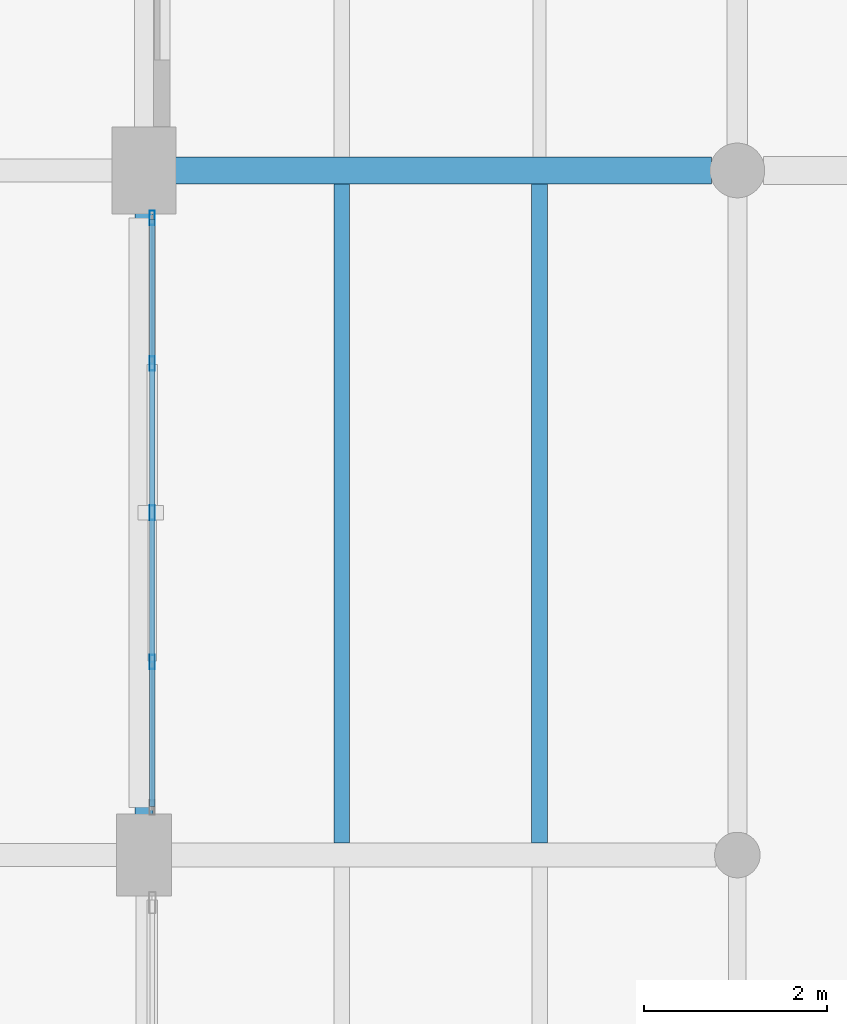
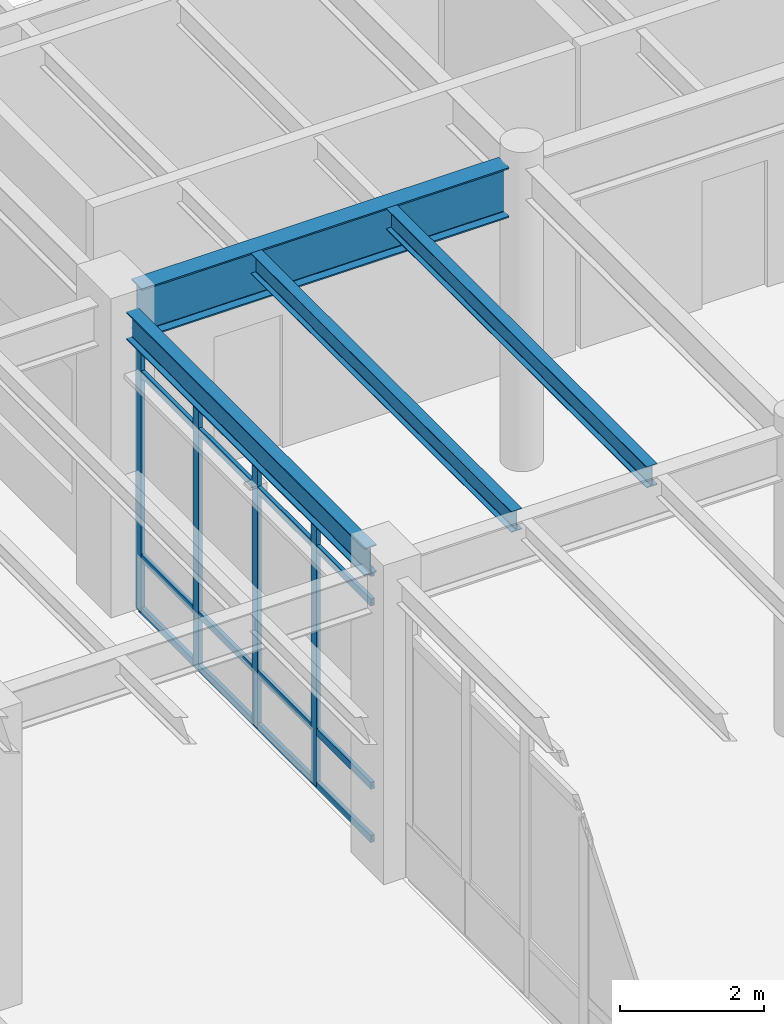
# One storey, part 58 of 203: 8 members, 4 beams, 1 element without a shape of its own.
"""IFC4 building model written with IfcOpenShell, lengths in metres."""

from ifc_helpers import new_model, si_unit, direction, frame, origin, origin_2d, place, context, subcontext, project, spatial, hollow_rectangle, i_section, extrude, material, material_profile, profile_set, type_object, element, aggregate, save


model = new_model("IFC4")

# Units and contexts
model_context = context("Model", 3, precision=1e-05, world=origin(), true_north=direction((0.0, 1.0)))
body_context = subcontext(model_context, "Body", "Model", "MODEL_VIEW")
ifc_project = project(units=[si_unit("LENGTHUNIT", "METRE"), si_unit("AREAUNIT", "SQUARE_METRE"), si_unit("VOLUMEUNIT", "CUBIC_METRE"), si_unit("PLANEANGLEUNIT", "RADIAN"), si_unit("MASSUNIT", "GRAM", prefix="KILO"), si_unit("THERMODYNAMICTEMPERATUREUNIT", "KELVIN"), si_unit("POWERUNIT", "WATT")], contexts=[model_context])

# Site, building, storey
site_placement = place(None, origin())
site = spatial("IfcSite", under=ifc_project, at=site_placement, CompositionType="ELEMENT")
building_placement = place(site_placement, origin())
building = spatial("IfcBuilding", under=site, at=building_placement, Name="Tepalcoro Natatorium and Aquatics Centre", CompositionType="ELEMENT")
storey_placement = place(building_placement, origin())
storey = spatial("IfcBuildingStorey", under=building, at=storey_placement, Name="L00", CompositionType="ELEMENT", Elevation=0.0)

# Beams
ifc_material_1 = material(Name="Steel ASTM A992 Grade 50 (Fy 345 MPa)", Category="steel")
ifc_material_profile_1 = material_profile(ifc_material_1, i_section(OverallWidth=0.193115234375, OverallDepth=0.467041015625, WebThickness=0.010986328125, FlangeThickness=0.01904296875, FilletRadius=0.013916015625, at=origin_2d()), Name="W18X65")
ifc_profile_set_1 = profile_set([ifc_material_profile_1], Name="Steel ASTM A992 Grade 50 (Fy 345 MPa)")
beam_type_1 = type_object("IfcBeamType", Name="BM_W18x65", PredefinedType="BEAM", material=ifc_profile_set_1)
beam_1_placement = place(storey_placement, frame((46.5, 51.93505859375, 4.8515625), z_axis=(0.0, 1.0, 0.0), x_axis=(-1.0, 0.0, 0.0)))
element("IfcBeam", 1, at=beam_1_placement, inside=storey, type_object=beam_type_1, Name="V1 L00 Grid Girder Y", PredefinedType="BEAM", context=body_context, shape_type="SweptSolid", body=[
    extrude(i_section(OverallWidth=0.193115234375, OverallDepth=0.467041015625, WebThickness=0.010986328125, FlangeThickness=0.01904296875, FilletRadius=0.013916015625, at=origin_2d()), origin(), (0.0, 0.0, 1.0), 6.60498046875),
])
ifc_material_profile_2 = material_profile(ifc_material_1, i_section(OverallWidth=0.2919921875, OverallDepth=0.845947265625, WebThickness=0.014892578125, FlangeThickness=0.02392578125, FilletRadius=0.013916015625, at=origin_2d()), Name="W33X141")
ifc_profile_set_2 = profile_set([ifc_material_profile_2], Name="Steel ASTM A992 Grade 50 (Fy 345 MPa)")
beam_type_2 = type_object("IfcBeamType", Name="BM_W33x141", PredefinedType="BEAM", material=ifc_profile_set_2)
beam_2_placement = place(storey_placement, frame((46.8349609375, 59.0, 4.701904296875), z_axis=(1.0, 0.0, 0.0), x_axis=(0.0, 1.0, 0.0)))
element("IfcBeam", 2, at=beam_2_placement, inside=storey, type_object=beam_type_2, Name="V1 L00 Grid Girder X", PredefinedType="BEAM", context=body_context, shape_type="SweptSolid", body=[
    extrude(i_section(OverallWidth=0.2919921875, OverallDepth=0.845947265625, WebThickness=0.014892578125, FlangeThickness=0.02392578125, FilletRadius=0.013916015625, at=origin_2d()), origin(), (0.0, 0.0, 1.0), 5.880126953125),
])

# Curtain wall, members
ifc_material_2 = material(Name="Bronze-Anodised Extruded Aluminium Alloy EN AW-6063 T6", Category="aluminium")
curtain_wall_type = type_object("IfcCurtainWallType", Name="CW_V2_DIVING", PredefinedType="USERDEFINED", material=ifc_material_2)
curtain_wall_placement = place(storey_placement, origin())
curtain_wall = element("IfcCurtainWall", 3, at=curtain_wall_placement, inside=storey, type_object=curtain_wall_type, Name="V1 L00 W Unitised Curtain Wall Bay 7", ObjectType="FACETED SOLAR GLAZING", PredefinedType="USERDEFINED")
ifc_material_profile_3 = material_profile(ifc_material_2, hollow_rectangle(XDim=0.06005859375, YDim=0.159912109375, WallThickness=0.00390625, at=origin_2d()), Name="AL60X160X4")
ifc_profile_set_3 = profile_set([ifc_material_profile_3], Name="Bronze-Anodised Extruded Aluminium Alloy EN AW-6063 T6")
member_type_1 = type_object("IfcMemberType", Name="CW_MUL_60x160", PredefinedType="MULLION", material=ifc_profile_set_3)
member_1_placement = place(storey_placement, frame((46.590087890625, 53.614990234375, 0.02001953125), z_axis=(0.0, 0.0, 1.0), x_axis=(1.0, 0.0, 0.0)))
member_1 = element("IfcMember", 4, at=member_1_placement, type_object=member_type_1, Name="CW_V2_DIVING Curtain Wall Mullion", PredefinedType="MULLION", context=body_context, shape_type="SweptSolid", body=[
    extrude(hollow_rectangle(XDim=0.06005859375, YDim=0.159912109375, WallThickness=0.00390625, at=origin_2d()), origin(), (0.0, 0.0, 1.0), 4.56298828125),
])
member_2_placement = place(storey_placement, frame((46.590087890625, 55.25, 0.02001953125), z_axis=(0.0, 0.0, 1.0), x_axis=(1.0, 0.0, 0.0)))
member_2 = element("IfcMember", 5, at=member_2_placement, type_object=member_type_1, Name="CW_V2_DIVING Curtain Wall Mullion", PredefinedType="MULLION", context=body_context, shape_type="SweptSolid", body=[
    extrude(hollow_rectangle(XDim=0.06005859375, YDim=0.159912109375, WallThickness=0.00390625, at=origin_2d()), origin(), (0.0, 0.0, 1.0), 4.56298828125),
])
member_3_placement = place(storey_placement, frame((46.590087890625, 56.885009765625, 0.02001953125), z_axis=(0.0, 0.0, 1.0), x_axis=(1.0, 0.0, 0.0)))
member_3 = element("IfcMember", 6, at=member_3_placement, type_object=member_type_1, Name="CW_V2_DIVING Curtain Wall Mullion", PredefinedType="MULLION", context=body_context, shape_type="SweptSolid", body=[
    extrude(hollow_rectangle(XDim=0.06005859375, YDim=0.159912109375, WallThickness=0.00390625, at=origin_2d()), origin(), (0.0, 0.0, 1.0), 4.56298828125),
])
member_4_placement = place(storey_placement, frame((46.590087890625, 58.47998046875, 0.02001953125), z_axis=(0.0, 0.0, 1.0), x_axis=(1.0, 0.0, 0.0)))
member_4 = element("IfcMember", 7, at=member_4_placement, type_object=member_type_1, Name="CW_V2_DIVING Curtain Wall Mullion", PredefinedType="MULLION", context=body_context, shape_type="SweptSolid", body=[
    extrude(hollow_rectangle(XDim=0.06005859375, YDim=0.159912109375, WallThickness=0.00390625, at=origin_2d()), origin(), (0.0, 0.0, 1.0), 4.56298828125),
])
ifc_material_profile_4 = material_profile(ifc_material_2, hollow_rectangle(XDim=0.06005859375, YDim=0.1201171875, WallThickness=0.00390625, at=origin_2d()), Name="AL60X120X4")
ifc_profile_set_4 = profile_set([ifc_material_profile_4], Name="Bronze-Anodised Extruded Aluminium Alloy EN AW-6063 T6")
member_type_2 = type_object("IfcMemberType", Name="CW_TRN_60x120", PredefinedType="USERDEFINED", material=ifc_profile_set_4)
member_5_placement = place(storey_placement, frame((46.590087890625, 52.030029296875, 0.050048828125), z_axis=(0.0, 1.0, 0.0), x_axis=(-1.0, 0.0, 0.0)))
member_5 = element("IfcMember", 8, at=member_5_placement, type_object=member_type_2, Name="CW_V2_DIVING Curtain Wall Transom", ObjectType="TRANSOM", PredefinedType="USERDEFINED", context=body_context, shape_type="SweptSolid", body=[
    extrude(hollow_rectangle(XDim=0.06005859375, YDim=0.1201171875, WallThickness=0.00390625, at=origin_2d()), origin(), (0.0, 0.0, 1.0), 6.43994140625),
])
member_6_placement = place(storey_placement, frame((46.590087890625, 52.030029296875, 0.949951171875), z_axis=(0.0, 1.0, 0.0), x_axis=(-1.0, 0.0, 0.0)))
member_6 = element("IfcMember", 9, at=member_6_placement, type_object=member_type_2, Name="CW_V2_DIVING Curtain Wall Transom", ObjectType="TRANSOM", PredefinedType="USERDEFINED", context=body_context, shape_type="SweptSolid", body=[
    extrude(hollow_rectangle(XDim=0.06005859375, YDim=0.1201171875, WallThickness=0.00390625, at=origin_2d()), origin(), (0.0, 0.0, 1.0), 6.43994140625),
])
member_7_placement = place(storey_placement, frame((46.590087890625, 52.030029296875, 4.052978515625), z_axis=(0.0, 1.0, 0.0), x_axis=(-1.0, 0.0, 0.0)))
member_7 = element("IfcMember", 10, at=member_7_placement, type_object=member_type_2, Name="CW_V2_DIVING Curtain Wall Transom", ObjectType="TRANSOM", PredefinedType="USERDEFINED", context=body_context, shape_type="SweptSolid", body=[
    extrude(hollow_rectangle(XDim=0.06005859375, YDim=0.1201171875, WallThickness=0.00390625, at=origin_2d()), origin(), (0.0, 0.0, 1.0), 6.43994140625),
])
member_8_placement = place(storey_placement, frame((46.590087890625, 52.030029296875, 4.552978515625), z_axis=(0.0, 1.0, 0.0), x_axis=(-1.0, 0.0, 0.0)))
member_8 = element("IfcMember", 11, at=member_8_placement, type_object=member_type_2, Name="CW_V2_DIVING Curtain Wall Transom", ObjectType="TRANSOM", PredefinedType="USERDEFINED", context=body_context, shape_type="SweptSolid", body=[
    extrude(hollow_rectangle(XDim=0.06005859375, YDim=0.1201171875, WallThickness=0.00390625, at=origin_2d()), origin(), (0.0, 0.0, 1.0), 6.43994140625),
])
aggregate(curtain_wall, [member_1, member_2, member_3, member_4, member_5, member_6, member_7, member_8])

# Beams
ifc_material_profile_5 = material_profile(ifc_material_1, i_section(OverallWidth=0.1708984375, OverallDepth=0.35107421875, WebThickness=0.007080078125, FlangeThickness=0.010009765625, FilletRadius=0.013916015625, at=origin_2d()), Name="W14X30")
ifc_profile_set_5 = profile_set([ifc_material_profile_5], Name="Steel ASTM A992 Grade 50 (Fy 345 MPa)")
beam_type_3 = type_object("IfcBeamType", Name="JS_W14x30", PredefinedType="JOIST", material=ifc_profile_set_5)
beam_3_placement = place(storey_placement, frame((48.666748046875, 51.633544921875, 4.949462890625), z_axis=(0.0, 1.0, 0.0), x_axis=(-1.0, 0.0, 0.0)))
element("IfcBeam", 12, at=beam_3_placement, inside=storey, type_object=beam_type_3, Name="V1 L00 Floor Joist", PredefinedType="JOIST", context=body_context, shape_type="SweptSolid", body=[
    extrude(i_section(OverallWidth=0.1708984375, OverallDepth=0.35107421875, WebThickness=0.007080078125, FlangeThickness=0.010009765625, FilletRadius=0.013916015625, at=origin_2d()), origin(), (0.0, 0.0, 1.0), 7.220458984375),
])
ifc_material_profile_6 = material_profile(ifc_material_1, i_section(OverallWidth=0.172119140625, OverallDepth=0.35791015625, WebThickness=0.008056640625, FlangeThickness=0.012939453125, FilletRadius=0.013916015625, at=origin_2d()), Name="W14X38")
ifc_profile_set_6 = profile_set([ifc_material_profile_6], Name="Steel ASTM A992 Grade 50 (Fy 345 MPa)")
beam_type_4 = type_object("IfcBeamType", Name="JS_W14x38", PredefinedType="JOIST", material=ifc_profile_set_6)
beam_4_placement = place(storey_placement, frame((50.833251953125, 51.633544921875, 4.946044921875), z_axis=(0.0, 1.0, 0.0), x_axis=(-1.0, 0.0, 0.0)))
element("IfcBeam", 13, at=beam_4_placement, inside=storey, type_object=beam_type_4, Name="V1 L00 Floor Joist", PredefinedType="JOIST", context=body_context, shape_type="SweptSolid", body=[
    extrude(i_section(OverallWidth=0.172119140625, OverallDepth=0.35791015625, WebThickness=0.008056640625, FlangeThickness=0.012939453125, FilletRadius=0.013916015625, at=origin_2d()), origin(), (0.0, 0.0, 1.0), 7.220458984375),
])

save(model, "model.ifc")
